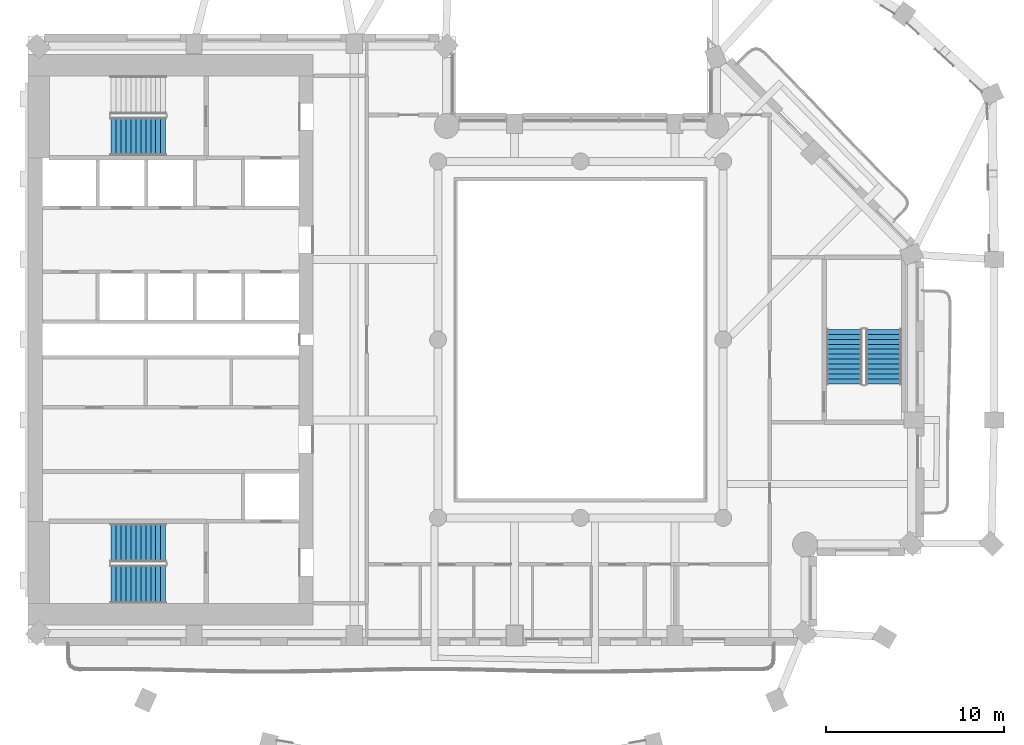
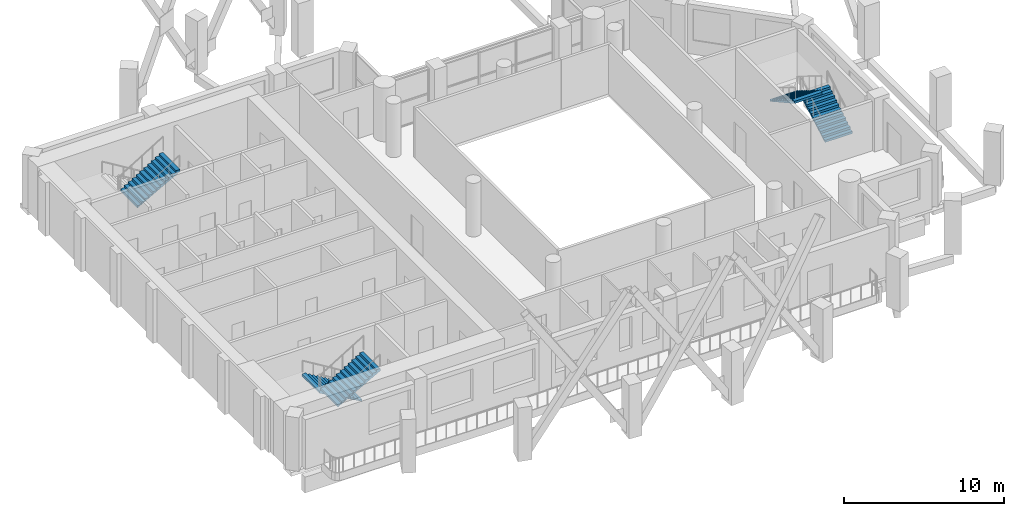
# One storey, part 9 of 15: 5 stair flights, 3 elements without a shape of their own.
"""IFC4 building model written with IfcOpenShell, lengths in metres."""

from ifc_helpers import new_model, si_unit, direction, frame, origin, place, context, subcontext, project, spatial, triangles, material, type_object, element, aggregate, save


model = new_model("IFC4")

# Units and contexts
model_context = context("Model", 3, precision=1e-05, world=origin(), true_north=direction((0.0, 1.0)))
body_context = subcontext(model_context, "Body", "Model", "MODEL_VIEW")
ifc_project = project(units=[si_unit("LENGTHUNIT", "METRE"), si_unit("AREAUNIT", "SQUARE_METRE"), si_unit("VOLUMEUNIT", "CUBIC_METRE"), si_unit("PLANEANGLEUNIT", "RADIAN"), si_unit("MASSUNIT", "GRAM", prefix="KILO")], contexts=[model_context])

# Site, building, storey
site_placement = place(None, origin())
site = spatial("IfcSite", under=ifc_project, at=site_placement, CompositionType="ELEMENT")
building_placement = place(site_placement, origin())
building = spatial("IfcBuilding", under=site, at=building_placement, Name="Cypress Arch Tower", CompositionType="ELEMENT")
storey_placement = place(building_placement, frame((0.0, 0.0, 205.60009765625)))
storey = spatial("IfcBuildingStorey", under=building, at=storey_placement, Name="L45", CompositionType="ELEMENT", Elevation=205.60009765625)

# Stair, stair flights
ifc_material_1 = material(Name="Concrete C40/50", Category="concrete")
stair_type_1 = type_object("IfcStairType", Name="Exit stair ES1708-200", PredefinedType="HALF_TURN_STAIR", material=ifc_material_1)
stair_1_placement = place(storey_placement, origin())
stair_1 = element("IfcStair", 1, at=stair_1_placement, inside=storey, type_object=stair_type_1, Name="L45 Exit stair C", PredefinedType="HALF_TURN_STAIR")
ifc_material_2 = material(Name="Concrete C40/50", Category="concrete")
stair_flight_type_1 = type_object("IfcStairFlightType", Name="Exit stair flight ES1708-200", PredefinedType="STRAIGHT", material=ifc_material_2)
stair_flight_1_placement = place(storey_placement, frame((18.0, -2.5, 0.0), z_axis=(0.0, 0.0, 1.0), x_axis=(0.0, 1.0, 0.0)))
stair_flight_1 = element("IfcStairFlight", 2, at=stair_flight_1_placement, type_object=stair_flight_type_1, Name="C flight 1", NumberOfRisers=12, NumberOfTreads=11, PredefinedType="STRAIGHT", RiserHeight=0.170833333, TreadLength=0.28, context=body_context, shape_type="Tessellation", body=[
    triangles([(0.0, -1.0, 0.0), (0.0, -1.0, 0.1708984375), (0.280029296875, -1.0, 0.1708984375), (0.280029296875, -1.0, 0.341552734375), (0.56005859375, -1.0, 0.341552734375), (0.56005859375, -1.0, 0.512451171875), (0.840087890625, -1.0, 0.512451171875), (0.840087890625, -1.0, 0.683349609375), (1.1201171875, -1.0, 0.683349609375), (1.1201171875, -1.0, 0.854248046875), (1.39990234375, -1.0, 0.854248046875), (1.39990234375, -1.0, 1.02490234375), (1.679931640625, -1.0, 1.02490234375), (1.679931640625, -1.0, 1.19580078125), (1.9599609375, -1.0, 1.19580078125), (1.9599609375, -1.0, 1.36669921875), (2.239990234375, -1.0, 1.36669921875), (2.239990234375, -1.0, 1.53759765625), (2.52001953125, -1.0, 1.53759765625), (2.52001953125, -1.0, 1.708251953125), (2.800048828125, -1.0, 1.708251953125), (2.800048828125, -1.0, 1.879150390625), (3.080078125, -1.0, 1.879150390625), (3.080078125, -1.0, 1.70361328125), (3.080078125, 1.0, 1.70361328125), (3.080078125, 1.0, 1.879150390625), (2.800048828125, 1.0, 1.879150390625), (2.800048828125, 1.0, 1.708251953125), (2.52001953125, 1.0, 1.708251953125), (2.52001953125, 1.0, 1.53759765625), (2.239990234375, 1.0, 1.53759765625), (2.239990234375, 1.0, 1.36669921875), (1.9599609375, 1.0, 1.36669921875), (1.9599609375, 1.0, 1.19580078125), (1.679931640625, 1.0, 1.19580078125), (1.679931640625, 1.0, 1.02490234375), (1.39990234375, 1.0, 1.02490234375), (1.39990234375, 1.0, 0.854248046875), (1.1201171875, 1.0, 0.854248046875), (1.1201171875, 1.0, 0.683349609375), (0.840087890625, 1.0, 0.683349609375), (0.840087890625, 1.0, 0.512451171875), (0.56005859375, 1.0, 0.512451171875), (0.56005859375, 1.0, 0.341552734375), (0.280029296875, 1.0, 0.341552734375), (0.280029296875, 1.0, 0.1708984375), (0.0, 1.0, 0.1708984375), (0.0, 1.0, 0.0), (3.080078125, 0.0, 1.879150390625), (3.080078125, 0.0, 1.70361328125), (2.800048828125, 0.0, 1.879150390625), (2.800048828125, 0.0, 1.708251953125), (2.52001953125, 0.0, 1.708251953125), (2.52001953125, 0.0, 1.53759765625), (2.239990234375, 0.0, 1.53759765625), (2.239990234375, 0.0, 1.36669921875), (1.9599609375, 0.0, 1.36669921875), (1.9599609375, 0.0, 1.19580078125), (1.679931640625, 0.0, 1.19580078125), (1.679931640625, 0.0, 1.02490234375), (1.39990234375, 0.0, 1.02490234375), (1.39990234375, 0.0, 0.854248046875), (1.1201171875, 0.0, 0.854248046875), (1.1201171875, 0.0, 0.683349609375), (0.840087890625, 0.0, 0.683349609375), (0.840087890625, 0.0, 0.512451171875), (0.56005859375, 0.0, 0.512451171875), (0.56005859375, 0.0, 0.341552734375), (0.280029296875, 0.0, 0.341552734375), (0.280029296875, 0.0, 0.1708984375), (0.0, 0.0, 0.1708984375), (0.0, 0.0, 0.0)], [[24, 23, 22], [11, 10, 9], [19, 18, 17], [17, 16, 15], [15, 14, 13], [9, 8, 7], [7, 6, 5], [3, 2, 1], [21, 20, 19], [13, 12, 11], [5, 4, 3], [24, 22, 21], [24, 21, 19], [24, 19, 17], [24, 17, 15], [24, 15, 13], [24, 13, 11], [24, 11, 9], [24, 9, 7], [24, 7, 5], [1, 24, 5], [5, 3, 1], [25, 27, 26], [38, 40, 39], [30, 32, 31], [32, 34, 33], [34, 36, 35], [40, 42, 41], [42, 44, 43], [46, 48, 47], [28, 30, 29], [36, 38, 37], [44, 46, 45], [25, 28, 27], [25, 30, 28], [25, 32, 30], [25, 34, 32], [25, 36, 34], [25, 38, 36], [25, 40, 38], [25, 42, 40], [25, 44, 42], [48, 44, 25], [44, 48, 46], [50, 49, 23], [50, 23, 24], [25, 26, 49], [25, 49, 50], [49, 51, 22], [49, 22, 23], [26, 27, 51], [26, 51, 49], [51, 52, 21], [51, 21, 22], [27, 28, 52], [27, 52, 51], [52, 53, 20], [52, 20, 21], [28, 29, 53], [28, 53, 52], [53, 54, 19], [53, 19, 20], [29, 30, 54], [29, 54, 53], [54, 55, 18], [54, 18, 19], [30, 31, 55], [30, 55, 54], [55, 56, 17], [55, 17, 18], [31, 32, 56], [31, 56, 55], [56, 57, 16], [56, 16, 17], [32, 33, 57], [32, 57, 56], [57, 58, 15], [57, 15, 16], [33, 34, 58], [33, 58, 57], [58, 59, 14], [58, 14, 15], [34, 35, 59], [34, 59, 58], [59, 60, 13], [59, 13, 14], [35, 36, 60], [35, 60, 59], [60, 61, 12], [60, 12, 13], [36, 37, 61], [36, 61, 60], [61, 62, 11], [61, 11, 12], [37, 38, 62], [37, 62, 61], [62, 63, 10], [62, 10, 11], [38, 39, 63], [38, 63, 62], [63, 64, 9], [63, 9, 10], [39, 40, 64], [39, 64, 63], [64, 65, 8], [64, 8, 9], [40, 41, 65], [40, 65, 64], [65, 66, 7], [65, 7, 8], [41, 42, 66], [41, 66, 65], [66, 67, 6], [66, 6, 7], [42, 43, 67], [42, 67, 66], [67, 68, 5], [67, 5, 6], [43, 44, 68], [43, 68, 67], [68, 69, 4], [68, 4, 5], [44, 45, 69], [44, 69, 68], [69, 70, 3], [69, 3, 4], [45, 46, 70], [45, 70, 69], [70, 71, 2], [70, 2, 3], [46, 47, 71], [46, 71, 70], [71, 72, 1], [71, 1, 2], [47, 48, 72], [47, 72, 71], [72, 50, 24], [72, 24, 1], [48, 25, 50], [48, 50, 72]], closed=True),
])
stair_flight_2_placement = place(storey_placement, frame((15.800048828125, 0.580078125, 2.0498046875), z_axis=(0.0, 0.0, 1.0), x_axis=(0.0, -1.0, 0.0)))
stair_flight_2 = element("IfcStairFlight", 3, at=stair_flight_2_placement, type_object=stair_flight_type_1, Name="C flight 2", NumberOfRisers=12, NumberOfTreads=11, PredefinedType="STRAIGHT", RiserHeight=0.170833333, TreadLength=0.28, context=body_context, shape_type="Tessellation", body=[
    triangles([(0.0, -1.0, 0.0), (0.0, -1.0, 0.1708984375), (0.280029296875, -1.0, 0.1708984375), (0.280029296875, -1.0, 0.341552734375), (0.56005859375, -1.0, 0.341552734375), (0.56005859375, -1.0, 0.512451171875), (0.840087890625, -1.0, 0.512451171875), (0.840087890625, -1.0, 0.683349609375), (1.1201171875, -1.0, 0.683349609375), (1.1201171875, -1.0, 0.854248046875), (1.39990234375, -1.0, 0.854248046875), (1.39990234375, -1.0, 1.02490234375), (1.679931640625, -1.0, 1.02490234375), (1.679931640625, -1.0, 1.19580078125), (1.9599609375, -1.0, 1.19580078125), (1.9599609375, -1.0, 1.36669921875), (2.239990234375, -1.0, 1.36669921875), (2.239990234375, -1.0, 1.53759765625), (2.52001953125, -1.0, 1.53759765625), (2.52001953125, -1.0, 1.708251953125), (2.800048828125, -1.0, 1.708251953125), (2.800048828125, -1.0, 1.879150390625), (3.080078125, -1.0, 1.879150390625), (3.080078125, -1.0, 1.70361328125), (3.080078125, 1.0, 1.70361328125), (3.080078125, 1.0, 1.879150390625), (2.800048828125, 1.0, 1.879150390625), (2.800048828125, 1.0, 1.708251953125), (2.52001953125, 1.0, 1.708251953125), (2.52001953125, 1.0, 1.53759765625), (2.239990234375, 1.0, 1.53759765625), (2.239990234375, 1.0, 1.36669921875), (1.9599609375, 1.0, 1.36669921875), (1.9599609375, 1.0, 1.19580078125), (1.679931640625, 1.0, 1.19580078125), (1.679931640625, 1.0, 1.02490234375), (1.39990234375, 1.0, 1.02490234375), (1.39990234375, 1.0, 0.854248046875), (1.1201171875, 1.0, 0.854248046875), (1.1201171875, 1.0, 0.683349609375), (0.840087890625, 1.0, 0.683349609375), (0.840087890625, 1.0, 0.512451171875), (0.56005859375, 1.0, 0.512451171875), (0.56005859375, 1.0, 0.341552734375), (0.280029296875, 1.0, 0.341552734375), (0.280029296875, 1.0, 0.1708984375), (0.0, 1.0, 0.1708984375), (0.0, 1.0, 0.0), (3.080078125, 0.0, 1.879150390625), (3.080078125, 0.0, 1.70361328125), (2.800048828125, 0.0, 1.879150390625), (2.800048828125, 0.0, 1.708251953125), (2.52001953125, 0.0, 1.708251953125), (2.52001953125, 0.0, 1.53759765625), (2.239990234375, 0.0, 1.53759765625), (2.239990234375, 0.0, 1.36669921875), (1.9599609375, 0.0, 1.36669921875), (1.9599609375, 0.0, 1.19580078125), (1.679931640625, 0.0, 1.19580078125), (1.679931640625, 0.0, 1.02490234375), (1.39990234375, 0.0, 1.02490234375), (1.39990234375, 0.0, 0.854248046875), (1.1201171875, 0.0, 0.854248046875), (1.1201171875, 0.0, 0.683349609375), (0.840087890625, 0.0, 0.683349609375), (0.840087890625, 0.0, 0.512451171875), (0.56005859375, 0.0, 0.512451171875), (0.56005859375, 0.0, 0.341552734375), (0.280029296875, 0.0, 0.341552734375), (0.280029296875, 0.0, 0.1708984375), (0.0, 0.0, 0.1708984375), (0.0, 0.0, 0.0)], [[24, 23, 22], [11, 10, 9], [19, 18, 17], [17, 16, 15], [15, 14, 13], [9, 8, 7], [7, 6, 5], [3, 2, 1], [21, 20, 19], [13, 12, 11], [5, 4, 3], [24, 22, 21], [24, 21, 19], [24, 19, 17], [24, 17, 15], [24, 15, 13], [24, 13, 11], [24, 11, 9], [24, 9, 7], [24, 7, 5], [1, 24, 5], [5, 3, 1], [25, 27, 26], [38, 40, 39], [30, 32, 31], [32, 34, 33], [34, 36, 35], [40, 42, 41], [42, 44, 43], [46, 48, 47], [28, 30, 29], [36, 38, 37], [44, 46, 45], [25, 28, 27], [25, 30, 28], [25, 32, 30], [25, 34, 32], [25, 36, 34], [25, 38, 36], [25, 40, 38], [25, 42, 40], [25, 44, 42], [48, 44, 25], [44, 48, 46], [50, 49, 23], [50, 23, 24], [25, 26, 49], [25, 49, 50], [49, 51, 22], [49, 22, 23], [26, 27, 51], [26, 51, 49], [51, 52, 21], [51, 21, 22], [27, 28, 52], [27, 52, 51], [52, 53, 20], [52, 20, 21], [28, 29, 53], [28, 53, 52], [53, 54, 19], [53, 19, 20], [29, 30, 54], [29, 54, 53], [54, 55, 18], [54, 18, 19], [30, 31, 55], [30, 55, 54], [55, 56, 17], [55, 17, 18], [31, 32, 56], [31, 56, 55], [56, 57, 16], [56, 16, 17], [32, 33, 57], [32, 57, 56], [57, 58, 15], [57, 15, 16], [33, 34, 58], [33, 58, 57], [58, 59, 14], [58, 14, 15], [34, 35, 59], [34, 59, 58], [59, 60, 13], [59, 13, 14], [35, 36, 60], [35, 60, 59], [60, 61, 12], [60, 12, 13], [36, 37, 61], [36, 61, 60], [61, 62, 11], [61, 11, 12], [37, 38, 62], [37, 62, 61], [62, 63, 10], [62, 10, 11], [38, 39, 63], [38, 63, 62], [63, 64, 9], [63, 9, 10], [39, 40, 64], [39, 64, 63], [64, 65, 8], [64, 8, 9], [40, 41, 65], [40, 65, 64], [65, 66, 7], [65, 7, 8], [41, 42, 66], [41, 66, 65], [66, 67, 6], [66, 6, 7], [42, 43, 67], [42, 67, 66], [67, 68, 5], [67, 5, 6], [43, 44, 68], [43, 68, 67], [68, 69, 4], [68, 4, 5], [44, 45, 69], [44, 69, 68], [69, 70, 3], [69, 3, 4], [45, 46, 70], [45, 70, 69], [70, 71, 2], [70, 2, 3], [46, 47, 71], [46, 71, 70], [71, 72, 1], [71, 1, 2], [47, 48, 72], [47, 72, 71], [72, 50, 24], [72, 24, 1], [48, 25, 50], [48, 50, 72]], closed=True),
])
aggregate(stair_1, [stair_flight_1, stair_flight_2])

ifc_material_3 = material(Name="Concrete C40/50", Category="concrete")
stair_type_2 = type_object("IfcStairType", Name="Exit stair ES1708-215", PredefinedType="HALF_TURN_STAIR", material=ifc_material_3)
stair_2_placement = place(storey_placement, origin())
stair_2 = element("IfcStair", 4, at=stair_2_placement, inside=storey, type_object=stair_type_2, Name="L45 Exit stair A", PredefinedType="HALF_TURN_STAIR")
ifc_material_4 = material(Name="Concrete C40/50", Category="concrete")
stair_flight_type_2 = type_object("IfcStairFlightType", Name="Exit stair flight ES1708-215", PredefinedType="STRAIGHT", material=ifc_material_4)
stair_flight_3_placement = place(storey_placement, frame((-22.27490234375, -11.39990234375, 0.0), z_axis=(0.0, 0.0, 1.0), x_axis=(-1.0, 0.0, 0.0)))
stair_flight_3 = element("IfcStairFlight", 5, at=stair_flight_3_placement, type_object=stair_flight_type_2, Name="A flight 1", NumberOfRisers=12, NumberOfTreads=11, PredefinedType="STRAIGHT", RiserHeight=0.170833333, TreadLength=0.28, context=body_context, shape_type="Tessellation", body=[
    triangles([(0.0, -1.074951171875, 0.0), (0.000244140625, -1.074951171875, 0.01904296875), (0.000244140625, -1.074951171875, 0.0380859375), (0.00048828125, -1.074951171875, 0.056884765625), (0.00048828125, -1.074951171875, 0.075927734375), (0.00048828125, -1.074951171875, 0.094970703125), (0.00048828125, -1.074951171875, 0.114013671875), (0.000244140625, -1.074951171875, 0.1328125), (0.000244140625, -1.074951171875, 0.15185546875), (0.0, -1.074951171875, 0.1708984375), (0.280029296875, -1.074951171875, 0.1708984375), (0.280029296875, -1.074951171875, 0.341552734375), (0.56005859375, -1.074951171875, 0.341552734375), (0.56005859375, -1.074951171875, 0.512451171875), (0.840087890625, -1.074951171875, 0.512451171875), (0.840087890625, -1.074951171875, 0.683349609375), (1.1201171875, -1.074951171875, 0.683349609375), (1.1201171875, -1.074951171875, 0.854248046875), (1.39990234375, -1.074951171875, 0.854248046875), (1.39990234375, -1.074951171875, 1.02490234375), (1.679931640625, -1.074951171875, 1.02490234375), (1.679931640625, -1.074951171875, 1.19580078125), (1.9599609375, -1.074951171875, 1.19580078125), (1.9599609375, -1.074951171875, 1.36669921875), (2.239990234375, -1.074951171875, 1.36669921875), (2.239990234375, -1.074951171875, 1.53759765625), (2.52001953125, -1.074951171875, 1.53759765625), (2.52001953125, -1.074951171875, 1.708251953125), (2.800048828125, -1.074951171875, 1.708251953125), (2.800048828125, -1.074951171875, 1.879150390625), (3.080078125, -1.074951171875, 1.879150390625), (3.079833984375, -1.074951171875, 1.859619140625), (3.079833984375, -1.074951171875, 1.840087890625), (3.07958984375, -1.074951171875, 1.820556640625), (3.07958984375, -1.074951171875, 1.801025390625), (3.07958984375, -1.074951171875, 1.78173828125), (3.07958984375, -1.074951171875, 1.76220703125), (3.079833984375, -1.074951171875, 1.74267578125), (3.079833984375, -1.074951171875, 1.72314453125), (3.080078125, -1.074951171875, 1.70361328125), (3.080078125, 1.074951171875, 1.70361328125), (3.079833984375, 1.074951171875, 1.72314453125), (3.079833984375, 1.074951171875, 1.74267578125), (3.07958984375, 1.074951171875, 1.76220703125), (3.07958984375, 1.074951171875, 1.78173828125), (3.07958984375, 1.074951171875, 1.801025390625), (3.07958984375, 1.074951171875, 1.820556640625), (3.079833984375, 1.074951171875, 1.840087890625), (3.079833984375, 1.074951171875, 1.859619140625), (3.080078125, 1.074951171875, 1.879150390625), (2.800048828125, 1.074951171875, 1.879150390625), (2.800048828125, 1.074951171875, 1.708251953125), (2.52001953125, 1.074951171875, 1.708251953125), (2.52001953125, 1.074951171875, 1.53759765625), (2.239990234375, 1.074951171875, 1.53759765625), (2.239990234375, 1.074951171875, 1.36669921875), (1.9599609375, 1.074951171875, 1.36669921875), (1.9599609375, 1.074951171875, 1.19580078125), (1.679931640625, 1.074951171875, 1.19580078125), (1.679931640625, 1.074951171875, 1.02490234375), (1.39990234375, 1.074951171875, 1.02490234375), (1.39990234375, 1.074951171875, 0.854248046875), (1.1201171875, 1.074951171875, 0.854248046875), (1.1201171875, 1.074951171875, 0.683349609375), (0.840087890625, 1.074951171875, 0.683349609375), (0.840087890625, 1.074951171875, 0.512451171875), (0.56005859375, 1.074951171875, 0.512451171875), (0.56005859375, 1.074951171875, 0.341552734375), (0.280029296875, 1.074951171875, 0.341552734375), (0.280029296875, 1.074951171875, 0.1708984375), (0.0, 1.074951171875, 0.1708984375), (0.000244140625, 1.074951171875, 0.15185546875), (0.000244140625, 1.074951171875, 0.1328125), (0.00048828125, 1.074951171875, 0.114013671875), (0.00048828125, 1.074951171875, 0.094970703125), (0.00048828125, 1.074951171875, 0.075927734375), (0.00048828125, 1.074951171875, 0.056884765625), (0.000244140625, 1.074951171875, 0.0380859375), (0.000244140625, 1.074951171875, 0.01904296875), (0.0, 1.074951171875, 0.0)], [[40, 39, 30], [39, 38, 30], [38, 37, 30], [37, 36, 30], [36, 35, 30], [35, 34, 30], [34, 33, 30], [33, 32, 30], [32, 31, 30], [19, 18, 17], [27, 26, 25], [25, 24, 23], [23, 22, 21], [17, 16, 15], [15, 14, 13], [10, 9, 11], [9, 8, 11], [8, 7, 11], [7, 6, 11], [6, 5, 11], [5, 4, 11], [4, 3, 11], [3, 2, 11], [2, 1, 11], [29, 28, 27], [21, 20, 19], [13, 12, 11], [40, 30, 29], [40, 29, 27], [40, 27, 25], [40, 25, 23], [40, 23, 21], [40, 21, 19], [40, 19, 17], [40, 17, 15], [40, 15, 13], [1, 40, 13], [13, 11, 1], [41, 51, 42], [42, 51, 43], [43, 51, 44], [44, 51, 45], [45, 51, 46], [46, 51, 47], [47, 51, 48], [48, 51, 49], [49, 51, 50], [62, 64, 63], [54, 56, 55], [56, 58, 57], [58, 60, 59], [64, 66, 65], [66, 68, 67], [71, 70, 72], [72, 70, 73], [73, 70, 74], [74, 70, 75], [75, 70, 76], [76, 70, 77], [77, 70, 78], [78, 70, 79], [79, 70, 80], [52, 54, 53], [60, 62, 61], [68, 70, 69], [41, 52, 51], [41, 54, 52], [41, 56, 54], [41, 58, 56], [41, 60, 58], [41, 62, 60], [41, 64, 62], [41, 66, 64], [41, 68, 66], [80, 68, 41], [68, 80, 70], [41, 42, 39], [41, 39, 40], [42, 43, 38], [42, 38, 39], [43, 44, 37], [43, 37, 38], [44, 45, 36], [44, 36, 37], [45, 46, 35], [45, 35, 36], [46, 47, 34], [46, 34, 35], [47, 48, 33], [47, 33, 34], [48, 49, 32], [48, 32, 33], [49, 50, 31], [49, 31, 32], [50, 51, 30], [50, 30, 31], [51, 52, 29], [51, 29, 30], [52, 53, 28], [52, 28, 29], [53, 54, 27], [53, 27, 28], [54, 55, 26], [54, 26, 27], [55, 56, 25], [55, 25, 26], [56, 57, 24], [56, 24, 25], [57, 58, 23], [57, 23, 24], [58, 59, 22], [58, 22, 23], [59, 60, 21], [59, 21, 22], [60, 61, 20], [60, 20, 21], [61, 62, 19], [61, 19, 20], [62, 63, 18], [62, 18, 19], [63, 64, 17], [63, 17, 18], [64, 65, 16], [64, 16, 17], [65, 66, 15], [65, 15, 16], [66, 67, 14], [66, 14, 15], [67, 68, 13], [67, 13, 14], [68, 69, 12], [68, 12, 13], [69, 70, 11], [69, 11, 12], [70, 71, 10], [70, 10, 11], [71, 72, 9], [71, 9, 10], [72, 73, 8], [72, 8, 9], [73, 74, 7], [73, 7, 8], [74, 75, 6], [74, 6, 7], [75, 76, 5], [75, 5, 6], [76, 77, 4], [76, 4, 5], [77, 78, 3], [77, 3, 4], [78, 79, 2], [78, 2, 3], [79, 80, 1], [79, 1, 2], [80, 41, 40], [80, 40, 1]], closed=True),
])
stair_flight_4_placement = place(storey_placement, frame((-25.35498046875, -13.72509765625, 2.0498046875), z_axis=(0.0, 0.0, 1.0), x_axis=(1.0, 0.0, 0.0)))
stair_flight_4 = element("IfcStairFlight", 6, at=stair_flight_4_placement, type_object=stair_flight_type_2, Name="A flight 2", NumberOfRisers=12, NumberOfTreads=11, PredefinedType="STRAIGHT", RiserHeight=0.170833333, TreadLength=0.28, context=body_context, shape_type="Tessellation", body=[
    triangles([(0.0, -1.074951171875, 0.0), (0.000244140625, -1.074951171875, 0.01904296875), (0.000244140625, -1.074951171875, 0.0380859375), (0.00048828125, -1.074951171875, 0.056884765625), (0.00048828125, -1.074951171875, 0.075927734375), (0.00048828125, -1.074951171875, 0.094970703125), (0.00048828125, -1.074951171875, 0.114013671875), (0.000244140625, -1.074951171875, 0.1328125), (0.000244140625, -1.074951171875, 0.15185546875), (0.0, -1.074951171875, 0.1708984375), (0.280029296875, -1.074951171875, 0.1708984375), (0.280029296875, -1.074951171875, 0.341552734375), (0.56005859375, -1.074951171875, 0.341552734375), (0.56005859375, -1.074951171875, 0.512451171875), (0.840087890625, -1.074951171875, 0.512451171875), (0.840087890625, -1.074951171875, 0.683349609375), (1.1201171875, -1.074951171875, 0.683349609375), (1.1201171875, -1.074951171875, 0.854248046875), (1.39990234375, -1.074951171875, 0.854248046875), (1.39990234375, -1.074951171875, 1.02490234375), (1.679931640625, -1.074951171875, 1.02490234375), (1.679931640625, -1.074951171875, 1.19580078125), (1.9599609375, -1.074951171875, 1.19580078125), (1.9599609375, -1.074951171875, 1.36669921875), (2.239990234375, -1.074951171875, 1.36669921875), (2.239990234375, -1.074951171875, 1.53759765625), (2.52001953125, -1.074951171875, 1.53759765625), (2.52001953125, -1.074951171875, 1.708251953125), (2.800048828125, -1.074951171875, 1.708251953125), (2.800048828125, -1.074951171875, 1.879150390625), (3.080078125, -1.074951171875, 1.879150390625), (3.079833984375, -1.074951171875, 1.859619140625), (3.079833984375, -1.074951171875, 1.840087890625), (3.07958984375, -1.074951171875, 1.820556640625), (3.07958984375, -1.074951171875, 1.801025390625), (3.07958984375, -1.074951171875, 1.78173828125), (3.07958984375, -1.074951171875, 1.76220703125), (3.079833984375, -1.074951171875, 1.74267578125), (3.079833984375, -1.074951171875, 1.72314453125), (3.080078125, -1.074951171875, 1.70361328125), (3.080078125, 1.074951171875, 1.70361328125), (3.079833984375, 1.074951171875, 1.72314453125), (3.079833984375, 1.074951171875, 1.74267578125), (3.07958984375, 1.074951171875, 1.76220703125), (3.07958984375, 1.074951171875, 1.78173828125), (3.07958984375, 1.074951171875, 1.801025390625), (3.07958984375, 1.074951171875, 1.820556640625), (3.079833984375, 1.074951171875, 1.840087890625), (3.079833984375, 1.074951171875, 1.859619140625), (3.080078125, 1.074951171875, 1.879150390625), (2.800048828125, 1.074951171875, 1.879150390625), (2.800048828125, 1.074951171875, 1.708251953125), (2.52001953125, 1.074951171875, 1.708251953125), (2.52001953125, 1.074951171875, 1.53759765625), (2.239990234375, 1.074951171875, 1.53759765625), (2.239990234375, 1.074951171875, 1.36669921875), (1.9599609375, 1.074951171875, 1.36669921875), (1.9599609375, 1.074951171875, 1.19580078125), (1.679931640625, 1.074951171875, 1.19580078125), (1.679931640625, 1.074951171875, 1.02490234375), (1.39990234375, 1.074951171875, 1.02490234375), (1.39990234375, 1.074951171875, 0.854248046875), (1.1201171875, 1.074951171875, 0.854248046875), (1.1201171875, 1.074951171875, 0.683349609375), (0.840087890625, 1.074951171875, 0.683349609375), (0.840087890625, 1.074951171875, 0.512451171875), (0.56005859375, 1.074951171875, 0.512451171875), (0.56005859375, 1.074951171875, 0.341552734375), (0.280029296875, 1.074951171875, 0.341552734375), (0.280029296875, 1.074951171875, 0.1708984375), (0.0, 1.074951171875, 0.1708984375), (0.000244140625, 1.074951171875, 0.15185546875), (0.000244140625, 1.074951171875, 0.1328125), (0.00048828125, 1.074951171875, 0.114013671875), (0.00048828125, 1.074951171875, 0.094970703125), (0.00048828125, 1.074951171875, 0.075927734375), (0.00048828125, 1.074951171875, 0.056884765625), (0.000244140625, 1.074951171875, 0.0380859375), (0.000244140625, 1.074951171875, 0.01904296875), (0.0, 1.074951171875, 0.0)], [[40, 39, 30], [39, 38, 30], [38, 37, 30], [37, 36, 30], [36, 35, 30], [35, 34, 30], [34, 33, 30], [33, 32, 30], [32, 31, 30], [19, 18, 17], [27, 26, 25], [25, 24, 23], [23, 22, 21], [17, 16, 15], [15, 14, 13], [10, 9, 11], [9, 8, 11], [8, 7, 11], [7, 6, 11], [6, 5, 11], [5, 4, 11], [4, 3, 11], [3, 2, 11], [2, 1, 11], [29, 28, 27], [21, 20, 19], [13, 12, 11], [40, 30, 29], [40, 29, 27], [40, 27, 25], [40, 25, 23], [40, 23, 21], [40, 21, 19], [40, 19, 17], [40, 17, 15], [40, 15, 13], [1, 40, 13], [13, 11, 1], [41, 51, 42], [42, 51, 43], [43, 51, 44], [44, 51, 45], [45, 51, 46], [46, 51, 47], [47, 51, 48], [48, 51, 49], [49, 51, 50], [62, 64, 63], [54, 56, 55], [56, 58, 57], [58, 60, 59], [64, 66, 65], [66, 68, 67], [71, 70, 72], [72, 70, 73], [73, 70, 74], [74, 70, 75], [75, 70, 76], [76, 70, 77], [77, 70, 78], [78, 70, 79], [79, 70, 80], [52, 54, 53], [60, 62, 61], [68, 70, 69], [41, 52, 51], [41, 54, 52], [41, 56, 54], [41, 58, 56], [41, 60, 58], [41, 62, 60], [41, 64, 62], [41, 66, 64], [41, 68, 66], [80, 68, 41], [68, 80, 70], [41, 42, 39], [41, 39, 40], [42, 43, 38], [42, 38, 39], [43, 44, 37], [43, 37, 38], [44, 45, 36], [44, 36, 37], [45, 46, 35], [45, 35, 36], [46, 47, 34], [46, 34, 35], [47, 48, 33], [47, 33, 34], [48, 49, 32], [48, 32, 33], [49, 50, 31], [49, 31, 32], [50, 51, 30], [50, 30, 31], [51, 52, 29], [51, 29, 30], [52, 53, 28], [52, 28, 29], [53, 54, 27], [53, 27, 28], [54, 55, 26], [54, 26, 27], [55, 56, 25], [55, 25, 26], [56, 57, 24], [56, 24, 25], [57, 58, 23], [57, 23, 24], [58, 59, 22], [58, 22, 23], [59, 60, 21], [59, 21, 22], [60, 61, 20], [60, 20, 21], [61, 62, 19], [61, 19, 20], [62, 63, 18], [62, 18, 19], [63, 64, 17], [63, 17, 18], [64, 65, 16], [64, 16, 17], [65, 66, 15], [65, 15, 16], [66, 67, 14], [66, 14, 15], [67, 68, 13], [67, 13, 14], [68, 69, 12], [68, 12, 13], [69, 70, 11], [69, 11, 12], [70, 71, 10], [70, 10, 11], [71, 72, 9], [71, 9, 10], [72, 73, 8], [72, 8, 9], [73, 74, 7], [73, 7, 8], [74, 75, 6], [74, 6, 7], [75, 76, 5], [75, 5, 6], [76, 77, 4], [76, 4, 5], [77, 78, 3], [77, 3, 4], [78, 79, 2], [78, 2, 3], [79, 80, 1], [79, 1, 2], [80, 41, 40], [80, 40, 1]], closed=True),
])
aggregate(stair_2, [stair_flight_3, stair_flight_4])

# Stair, stair flight
stair_3_placement = place(storey_placement, origin())
stair_3 = element("IfcStair", 7, at=stair_3_placement, inside=storey, type_object=stair_type_2, Name="L45 Exit stair B", PredefinedType="HALF_TURN_STAIR")
stair_flight_5_placement = place(storey_placement, frame((-25.35498046875, 11.39990234375, 2.0498046875), z_axis=(0.0, 0.0, 1.0), x_axis=(1.0, 0.0, 0.0)))
stair_flight_5 = element("IfcStairFlight", 8, at=stair_flight_5_placement, type_object=stair_flight_type_2, Name="B flight 2", NumberOfRisers=12, NumberOfTreads=11, PredefinedType="STRAIGHT", RiserHeight=0.170833333, TreadLength=0.28, context=body_context, shape_type="Tessellation", body=[
    triangles([(0.0, -1.074951171875, 0.0), (0.000244140625, -1.074951171875, 0.01904296875), (0.000244140625, -1.074951171875, 0.0380859375), (0.00048828125, -1.074951171875, 0.056884765625), (0.00048828125, -1.074951171875, 0.075927734375), (0.00048828125, -1.074951171875, 0.094970703125), (0.00048828125, -1.074951171875, 0.114013671875), (0.000244140625, -1.074951171875, 0.1328125), (0.000244140625, -1.074951171875, 0.15185546875), (0.0, -1.074951171875, 0.1708984375), (0.280029296875, -1.074951171875, 0.1708984375), (0.280029296875, -1.074951171875, 0.341552734375), (0.56005859375, -1.074951171875, 0.341552734375), (0.56005859375, -1.074951171875, 0.512451171875), (0.840087890625, -1.074951171875, 0.512451171875), (0.840087890625, -1.074951171875, 0.683349609375), (1.1201171875, -1.074951171875, 0.683349609375), (1.1201171875, -1.074951171875, 0.854248046875), (1.39990234375, -1.074951171875, 0.854248046875), (1.39990234375, -1.074951171875, 1.02490234375), (1.679931640625, -1.074951171875, 1.02490234375), (1.679931640625, -1.074951171875, 1.19580078125), (1.9599609375, -1.074951171875, 1.19580078125), (1.9599609375, -1.074951171875, 1.36669921875), (2.239990234375, -1.074951171875, 1.36669921875), (2.239990234375, -1.074951171875, 1.53759765625), (2.52001953125, -1.074951171875, 1.53759765625), (2.52001953125, -1.074951171875, 1.708251953125), (2.800048828125, -1.074951171875, 1.708251953125), (2.800048828125, -1.074951171875, 1.879150390625), (3.080078125, -1.074951171875, 1.879150390625), (3.079833984375, -1.074951171875, 1.859619140625), (3.079833984375, -1.074951171875, 1.840087890625), (3.07958984375, -1.074951171875, 1.820556640625), (3.07958984375, -1.074951171875, 1.801025390625), (3.07958984375, -1.074951171875, 1.78173828125), (3.07958984375, -1.074951171875, 1.76220703125), (3.079833984375, -1.074951171875, 1.74267578125), (3.079833984375, -1.074951171875, 1.72314453125), (3.080078125, -1.074951171875, 1.70361328125), (3.080078125, 1.074951171875, 1.70361328125), (3.079833984375, 1.074951171875, 1.72314453125), (3.079833984375, 1.074951171875, 1.74267578125), (3.07958984375, 1.074951171875, 1.76220703125), (3.07958984375, 1.074951171875, 1.78173828125), (3.07958984375, 1.074951171875, 1.801025390625), (3.07958984375, 1.074951171875, 1.820556640625), (3.079833984375, 1.074951171875, 1.840087890625), (3.079833984375, 1.074951171875, 1.859619140625), (3.080078125, 1.074951171875, 1.879150390625), (2.800048828125, 1.074951171875, 1.879150390625), (2.800048828125, 1.074951171875, 1.708251953125), (2.52001953125, 1.074951171875, 1.708251953125), (2.52001953125, 1.074951171875, 1.53759765625), (2.239990234375, 1.074951171875, 1.53759765625), (2.239990234375, 1.074951171875, 1.36669921875), (1.9599609375, 1.074951171875, 1.36669921875), (1.9599609375, 1.074951171875, 1.19580078125), (1.679931640625, 1.074951171875, 1.19580078125), (1.679931640625, 1.074951171875, 1.02490234375), (1.39990234375, 1.074951171875, 1.02490234375), (1.39990234375, 1.074951171875, 0.854248046875), (1.1201171875, 1.074951171875, 0.854248046875), (1.1201171875, 1.074951171875, 0.683349609375), (0.840087890625, 1.074951171875, 0.683349609375), (0.840087890625, 1.074951171875, 0.512451171875), (0.56005859375, 1.074951171875, 0.512451171875), (0.56005859375, 1.074951171875, 0.341552734375), (0.280029296875, 1.074951171875, 0.341552734375), (0.280029296875, 1.074951171875, 0.1708984375), (0.0, 1.074951171875, 0.1708984375), (0.000244140625, 1.074951171875, 0.15185546875), (0.000244140625, 1.074951171875, 0.1328125), (0.00048828125, 1.074951171875, 0.114013671875), (0.00048828125, 1.074951171875, 0.094970703125), (0.00048828125, 1.074951171875, 0.075927734375), (0.00048828125, 1.074951171875, 0.056884765625), (0.000244140625, 1.074951171875, 0.0380859375), (0.000244140625, 1.074951171875, 0.01904296875), (0.0, 1.074951171875, 0.0)], [[40, 39, 30], [39, 38, 30], [38, 37, 30], [37, 36, 30], [36, 35, 30], [35, 34, 30], [34, 33, 30], [33, 32, 30], [32, 31, 30], [19, 18, 17], [27, 26, 25], [25, 24, 23], [23, 22, 21], [17, 16, 15], [15, 14, 13], [10, 9, 11], [9, 8, 11], [8, 7, 11], [7, 6, 11], [6, 5, 11], [5, 4, 11], [4, 3, 11], [3, 2, 11], [2, 1, 11], [29, 28, 27], [21, 20, 19], [13, 12, 11], [40, 30, 29], [40, 29, 27], [40, 27, 25], [40, 25, 23], [40, 23, 21], [40, 21, 19], [40, 19, 17], [40, 17, 15], [40, 15, 13], [1, 40, 13], [13, 11, 1], [41, 51, 42], [42, 51, 43], [43, 51, 44], [44, 51, 45], [45, 51, 46], [46, 51, 47], [47, 51, 48], [48, 51, 49], [49, 51, 50], [62, 64, 63], [54, 56, 55], [56, 58, 57], [58, 60, 59], [64, 66, 65], [66, 68, 67], [71, 70, 72], [72, 70, 73], [73, 70, 74], [74, 70, 75], [75, 70, 76], [76, 70, 77], [77, 70, 78], [78, 70, 79], [79, 70, 80], [52, 54, 53], [60, 62, 61], [68, 70, 69], [41, 52, 51], [41, 54, 52], [41, 56, 54], [41, 58, 56], [41, 60, 58], [41, 62, 60], [41, 64, 62], [41, 66, 64], [41, 68, 66], [80, 68, 41], [68, 80, 70], [41, 42, 39], [41, 39, 40], [42, 43, 38], [42, 38, 39], [43, 44, 37], [43, 37, 38], [44, 45, 36], [44, 36, 37], [45, 46, 35], [45, 35, 36], [46, 47, 34], [46, 34, 35], [47, 48, 33], [47, 33, 34], [48, 49, 32], [48, 32, 33], [49, 50, 31], [49, 31, 32], [50, 51, 30], [50, 30, 31], [51, 52, 29], [51, 29, 30], [52, 53, 28], [52, 28, 29], [53, 54, 27], [53, 27, 28], [54, 55, 26], [54, 26, 27], [55, 56, 25], [55, 25, 26], [56, 57, 24], [56, 24, 25], [57, 58, 23], [57, 23, 24], [58, 59, 22], [58, 22, 23], [59, 60, 21], [59, 21, 22], [60, 61, 20], [60, 20, 21], [61, 62, 19], [61, 19, 20], [62, 63, 18], [62, 18, 19], [63, 64, 17], [63, 17, 18], [64, 65, 16], [64, 16, 17], [65, 66, 15], [65, 15, 16], [66, 67, 14], [66, 14, 15], [67, 68, 13], [67, 13, 14], [68, 69, 12], [68, 12, 13], [69, 70, 11], [69, 11, 12], [70, 71, 10], [70, 10, 11], [71, 72, 9], [71, 9, 10], [72, 73, 8], [72, 8, 9], [73, 74, 7], [73, 7, 8], [74, 75, 6], [74, 6, 7], [75, 76, 5], [75, 5, 6], [76, 77, 4], [76, 4, 5], [77, 78, 3], [77, 3, 4], [78, 79, 2], [78, 2, 3], [79, 80, 1], [79, 1, 2], [80, 41, 40], [80, 40, 1]], closed=True),
])
aggregate(stair_3, [stair_flight_5])

save(model, "model.ifc")
